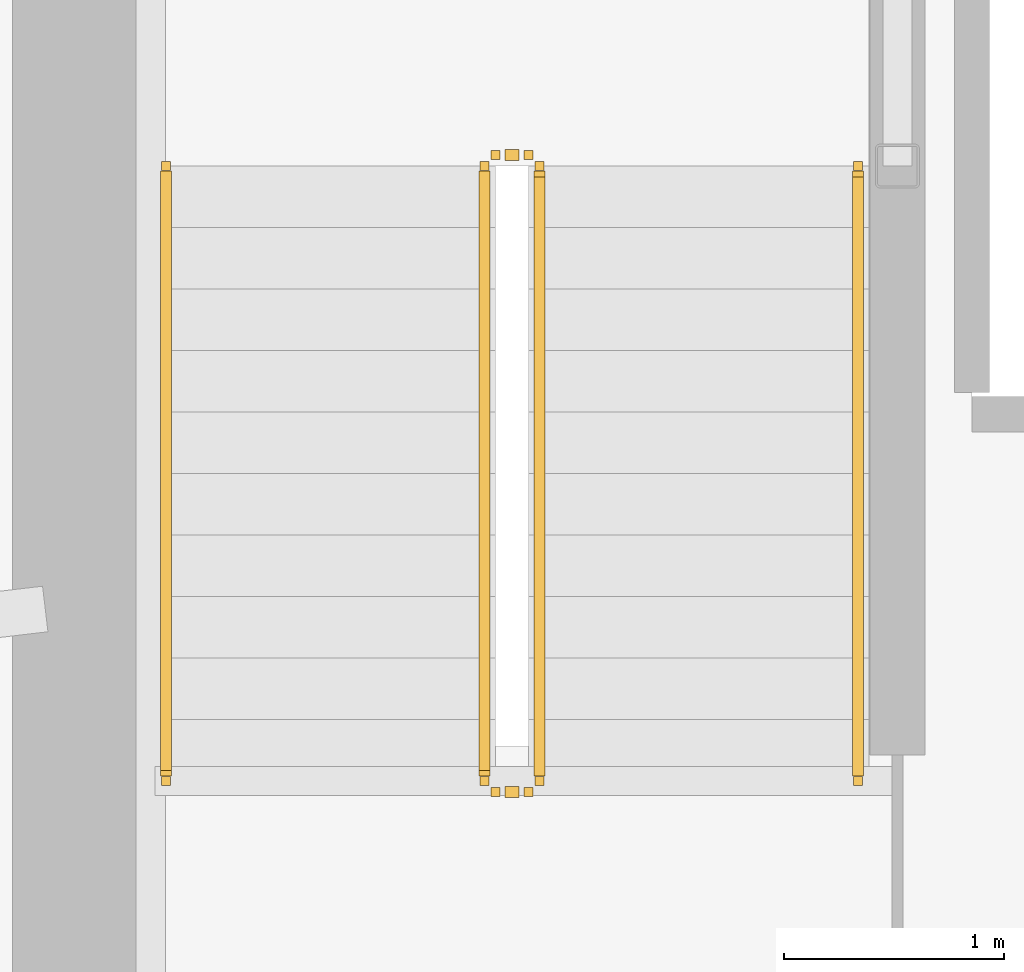
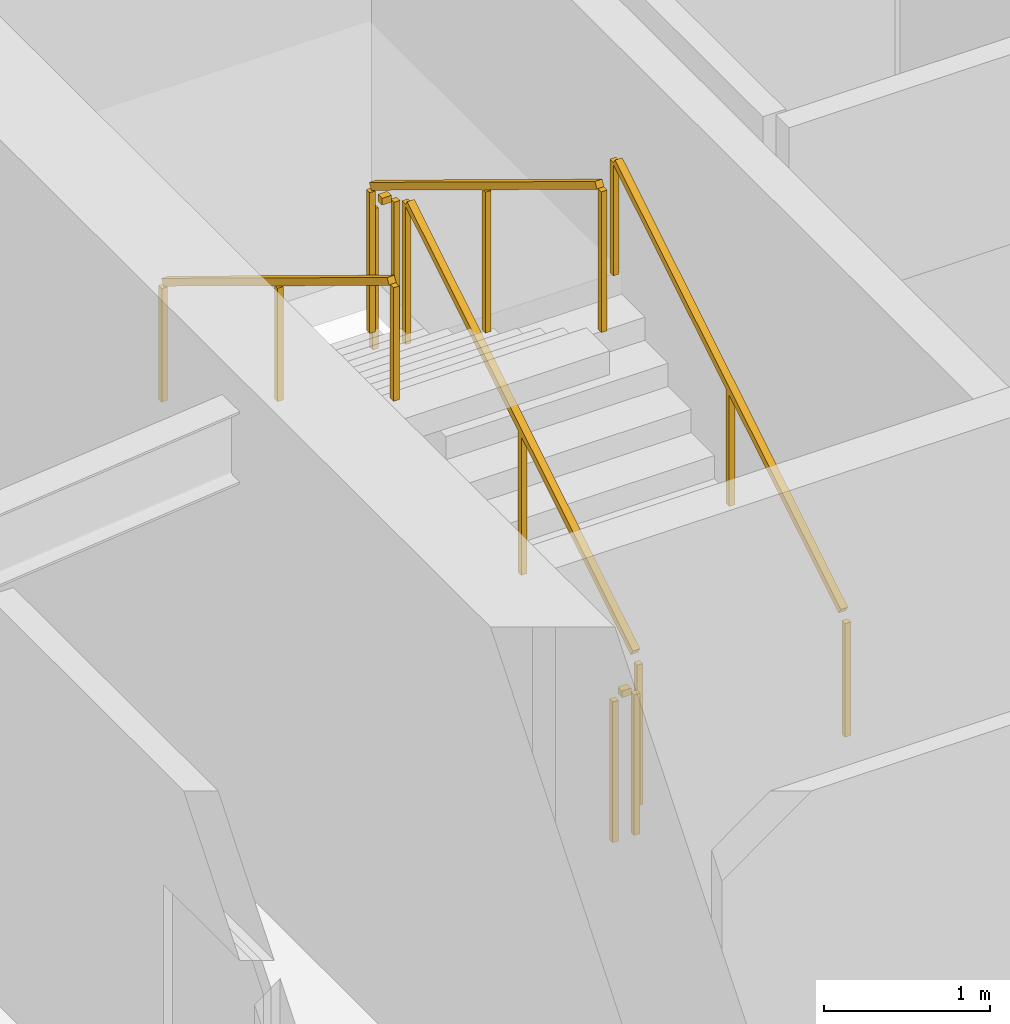
# One storey, part 16 of 19: 6 railings.
"""IFC4 building model written with IfcOpenShell, lengths in metres."""

from ifc_helpers import new_model, si_unit, direction, frame, origin, origin_2d, place, context, subcontext, project, spatial, rectangle, extrude, material, type_object, element, save


model = new_model("IFC4")

# Units and contexts
model_context = context("Model", 3, precision=1e-05, world=origin(), true_north=direction((0.0, 1.0)))
body_context = subcontext(model_context, "Body", "Model", "MODEL_VIEW")
ifc_project = project(units=[si_unit("LENGTHUNIT", "METRE"), si_unit("AREAUNIT", "SQUARE_METRE"), si_unit("VOLUMEUNIT", "CUBIC_METRE"), si_unit("PLANEANGLEUNIT", "RADIAN"), si_unit("MASSUNIT", "GRAM", prefix="KILO")], contexts=[model_context])

# Site, building, storey
site_placement = place(None, origin())
site = spatial("IfcSite", under=ifc_project, at=site_placement, CompositionType="ELEMENT")
building_placement = place(site_placement, origin())
building = spatial("IfcBuilding", under=site, at=building_placement, Name="Kazma Halo Residences", CompositionType="ELEMENT")
storey_placement = place(building_placement, frame((0.0, 0.0, 199.050048828125)))
storey = spatial("IfcBuildingStorey", under=building, at=storey_placement, Name="L50", CompositionType="ELEMENT", Elevation=199.050048828125)

# Railings
ifc_material_1 = material(Name="Painted Steel S355", Category="steel")
railing_type_1 = type_object("IfcRailingType", Name="RLG-STAIR-GRD-1100", PredefinedType="GUARDRAIL", material=ifc_material_1)
railing_1_placement = place(storey_placement, frame((39.550048828125, 39.949951171875, 0.17041015625)))
element("IfcRailing", 1, at=railing_1_placement, inside=storey, type_object=railing_type_1, Name="L50 ST-01 stair guard 1", PredefinedType="GUARDRAIL", context=body_context, shape_type="SweptSolid", body=[
    extrude(rectangle(XDim=0.050048828125, YDim=0.050048828125, at=origin_2d()), frame((0.0, 0.036376953125, 1.09716796875), z_axis=(0.0, 0.854169791009, 0.51999420009), x_axis=(-1.0, 0.0, 0.0)), (0.0, 0.0, 1.0), 3.193115234375),
    extrude(rectangle(XDim=0.0400390625, YDim=0.0400390625, at=origin_2d()), origin(), (0.0, 0.0, 1.0), 1.0380859375),
    extrude(rectangle(XDim=0.0400390625, YDim=0.0400390625, at=origin_2d()), frame((0.0, 1.39990234375, 0.852294921875)), (0.0, 0.0, 1.0), 1.0380859375),
    extrude(rectangle(XDim=0.0400390625, YDim=0.0400390625, at=origin_2d()), frame((0.0, 2.800048828125, 1.70458984375)), (0.0, 0.0, 1.0), 1.0380859375),
])
railing_2_placement = place(storey_placement, frame((39.5, 42.800048828125, 1.875)))
element("IfcRailing", 2, at=railing_2_placement, inside=storey, type_object=railing_type_1, Name="L50 ST-01 stair guard 2", PredefinedType="GUARDRAIL", context=body_context, shape_type="SweptSolid", body=[
    extrude(rectangle(XDim=0.050048828125, YDim=0.050048828125, at=origin_2d()), frame((-0.04248046875, 0.0, 1.0751953125), z_axis=(-1.0, 0.0, 0.0), x_axis=(0.0, -1.0, 0.0)), (0.0, 0.0, 1.0), 0.06494140625),
    extrude(rectangle(XDim=0.0400390625, YDim=0.0400390625, at=origin_2d()), origin(), (0.0, 0.0, 1.0), 1.0380859375),
    extrude(rectangle(XDim=0.0400390625, YDim=0.0400390625, at=origin_2d()), frame((-0.14990234375, 0.0, 0.0)), (0.0, 0.0, 1.0), 1.0380859375),
])
railing_3_placement = place(storey_placement, frame((39.300048828125, 42.75, 2.04541015625)))
element("IfcRailing", 3, at=railing_3_placement, inside=storey, type_object=railing_type_1, Name="L50 ST-01 stair guard 3", PredefinedType="GUARDRAIL", context=body_context, shape_type="SweptSolid", body=[
    extrude(rectangle(XDim=0.050048828125, YDim=0.050048828125, at=origin_2d()), frame((0.0, -0.036376953125, 1.09716796875), z_axis=(0.0, -0.854169791009, 0.51999420009), x_axis=(1.0, 0.0, 0.0)), (0.0, 0.0, 1.0), 3.193115234375),
    extrude(rectangle(XDim=0.0400390625, YDim=0.0400390625, at=origin_2d()), origin(), (0.0, 0.0, 1.0), 1.0380859375),
    extrude(rectangle(XDim=0.0400390625, YDim=0.0400390625, at=origin_2d()), frame((0.0, -1.39990234375, 0.852294921875)), (0.0, 0.0, 1.0), 1.0380859375),
    extrude(rectangle(XDim=0.0400390625, YDim=0.0400390625, at=origin_2d()), frame((0.0, -2.800048828125, 1.70458984375)), (0.0, 0.0, 1.0), 1.0380859375),
])
railing_4_placement = place(storey_placement, frame((39.5, 39.89990234375, 0.0)))
element("IfcRailing", 4, at=railing_4_placement, inside=storey, type_object=railing_type_1, Name="L50 ST-01 stair guard 4", PredefinedType="GUARDRAIL", context=body_context, shape_type="SweptSolid", body=[
    extrude(rectangle(XDim=0.050048828125, YDim=0.050048828125, at=origin_2d()), frame((-0.04248046875, 0.0, 1.0751953125), z_axis=(-1.0, 0.0, 0.0), x_axis=(0.0, -1.0, 0.0)), (0.0, 0.0, 1.0), 0.06494140625),
    extrude(rectangle(XDim=0.0400390625, YDim=0.0400390625, at=origin_2d()), origin(), (0.0, 0.0, 1.0), 1.0380859375),
    extrude(rectangle(XDim=0.0400390625, YDim=0.0400390625, at=origin_2d()), frame((-0.14990234375, 0.0, 0.0)), (0.0, 0.0, 1.0), 1.0380859375),
])
ifc_material_2 = material(Name="Brushed Stainless Steel", Category="steel")
railing_type_2 = type_object("IfcRailingType", Name="RLG-STAIR-HND-900", PredefinedType="HANDRAIL", material=ifc_material_2)
railing_5_placement = place(storey_placement, frame((41.0, 39.949951171875, 0.17041015625)))
element("IfcRailing", 5, at=railing_5_placement, inside=storey, type_object=railing_type_2, Name="L50 ST-01 stair handrail 1", PredefinedType="HANDRAIL", context=body_context, shape_type="SweptSolid", body=[
    extrude(rectangle(XDim=0.050048828125, YDim=0.050048828125, at=origin_2d()), frame((0.0, 0.036376953125, 0.89697265625), z_axis=(0.0, 0.854169791009, 0.51999420009), x_axis=(-1.0, 0.0, 0.0)), (0.0, 0.0, 1.0), 3.193115234375),
    extrude(rectangle(XDim=0.0400390625, YDim=0.0400390625, at=origin_2d()), origin(), (0.0, 0.0, 1.0), 0.837890625),
    extrude(rectangle(XDim=0.0400390625, YDim=0.0400390625, at=origin_2d()), frame((0.0, 1.39990234375, 0.852294921875)), (0.0, 0.0, 1.0), 0.837890625),
    extrude(rectangle(XDim=0.0400390625, YDim=0.0400390625, at=origin_2d()), frame((0.0, 2.800048828125, 1.70458984375)), (0.0, 0.0, 1.0), 0.837890625),
])
railing_6_placement = place(storey_placement, frame((37.85009765625, 42.75, 2.04541015625)))
element("IfcRailing", 6, at=railing_6_placement, inside=storey, type_object=railing_type_2, Name="L50 ST-01 stair handrail 2", PredefinedType="HANDRAIL", context=body_context, shape_type="SweptSolid", body=[
    extrude(rectangle(XDim=0.050048828125, YDim=0.050048828125, at=origin_2d()), frame((0.0, -0.036376953125, 0.89697265625), z_axis=(0.0, -0.854169791009, 0.51999420009), x_axis=(1.0, 0.0, 0.0)), (0.0, 0.0, 1.0), 3.193115234375),
    extrude(rectangle(XDim=0.0400390625, YDim=0.0400390625, at=origin_2d()), origin(), (0.0, 0.0, 1.0), 0.837890625),
    extrude(rectangle(XDim=0.0400390625, YDim=0.0400390625, at=origin_2d()), frame((0.0, -1.39990234375, 0.852294921875)), (0.0, 0.0, 1.0), 0.837890625),
    extrude(rectangle(XDim=0.0400390625, YDim=0.0400390625, at=origin_2d()), frame((0.0, -2.800048828125, 1.70458984375)), (0.0, 0.0, 1.0), 0.837890625),
])

save(model, "model.ifc")
